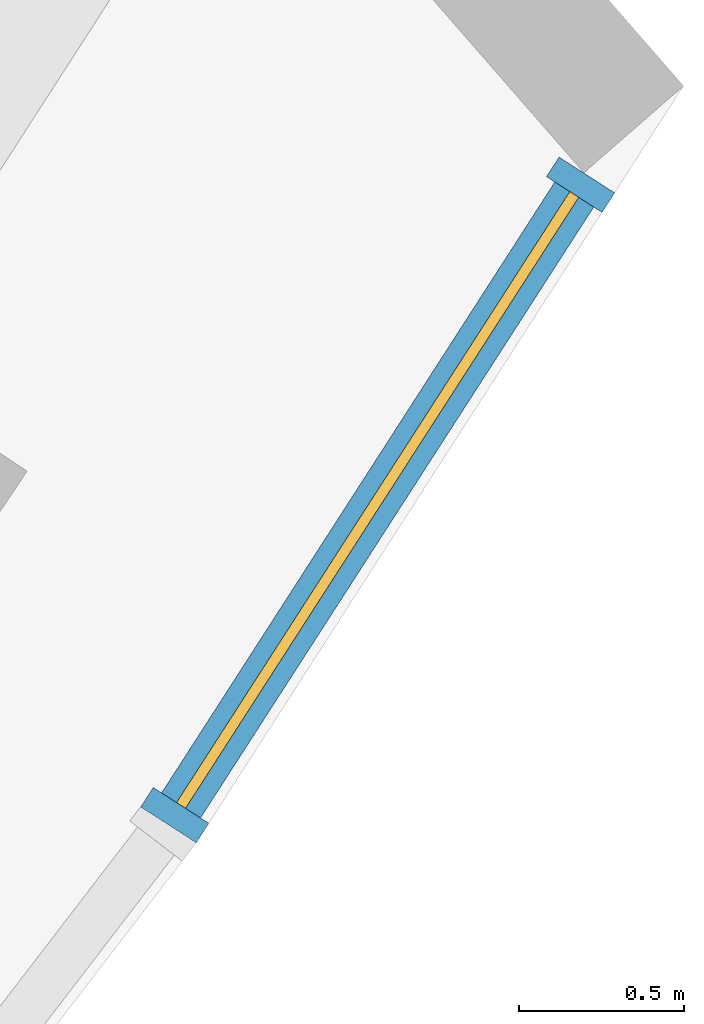
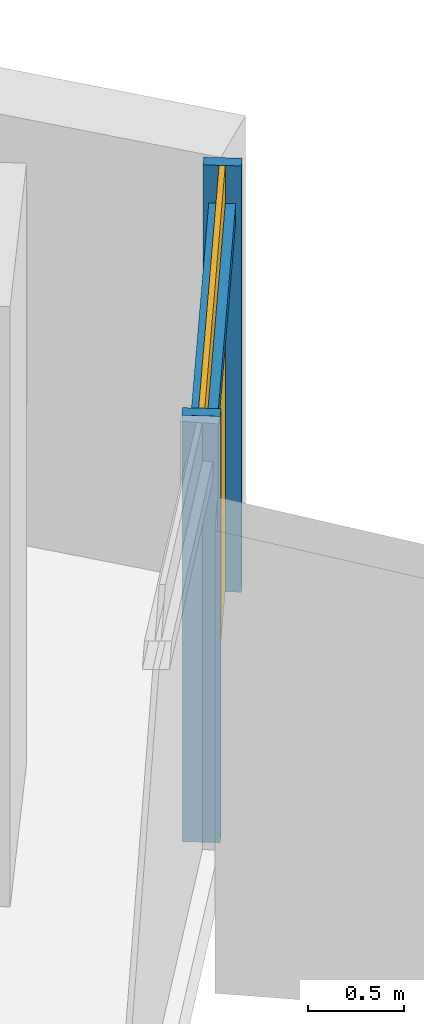
# One storey, part 24 of 32: 3 members, 1 curtain wall.
"""IFC4 building model written with IfcOpenShell, lengths in metres."""

from ifc_helpers import new_model, si_unit, direction, frame, origin, origin_2d, place, context, subcontext, project, spatial, rectangle, extrude, material, material_profile, profile_set, type_object, element, aggregate, save


model = new_model("IFC4")

# Units and contexts
model_context = context("Model", 3, precision=1e-05, world=origin(), true_north=direction((0.0, 1.0)))
body_context = subcontext(model_context, "Body", "Model", "MODEL_VIEW")
ifc_project = project(units=[si_unit("LENGTHUNIT", "METRE"), si_unit("AREAUNIT", "SQUARE_METRE"), si_unit("VOLUMEUNIT", "CUBIC_METRE"), si_unit("PLANEANGLEUNIT", "RADIAN"), si_unit("MASSUNIT", "GRAM", prefix="KILO")], contexts=[model_context])

# Member
ifc_material = material(Name="Aluminium 6063-T6 anodised", Category="aluminium")
ifc_material_profile_1 = material_profile(ifc_material, rectangle(XDim=0.199951171875, YDim=0.070068359375, at=origin_2d()))
ifc_profile_set_1 = profile_set([ifc_material_profile_1], Name="Aluminium 6063-T6 anodised")
member_type_1 = type_object("IfcMemberType", Name="Mullion 70 x 200 aluminium", PredefinedType="MULLION", material=ifc_profile_set_1)
site_placement = place(None, origin())
building_placement = place(site_placement, origin())
storey_placement = place(building_placement, frame((0.0, 0.0, 63.300048828125)))
member_1_placement = place(storey_placement, frame((66.161376953125, -44.167724609375, 0.0), z_axis=(0.0, 0.0, 1.0), x_axis=(-0.840842221196, 0.5412802962, 0.0)))
member_1 = element("IfcMember", 1, at=member_1_placement, type_object=member_type_1, Name="e-cw1-L12-out16/M00", PredefinedType="MULLION", context=body_context, shape_type="SweptSolid", body=[
    extrude(rectangle(XDim=0.199951171875, YDim=0.070068359375, at=origin_2d()), origin(), (0.0, 0.0, 1.0), 2.699951171875),
])

member_2_placement = place(storey_placement, frame((67.388671875, -42.26123046875, 0.0), z_axis=(0.0, 0.0, 1.0), x_axis=(-0.840842221196, 0.5412802962, 0.0)))
member_2 = element("IfcMember", 2, at=member_2_placement, type_object=member_type_1, Name="e-cw1-L12-out16/M01", PredefinedType="MULLION", context=body_context, shape_type="SweptSolid", body=[
    extrude(rectangle(XDim=0.199951171875, YDim=0.070068359375, at=origin_2d()), origin(), (0.0, 0.0, 1.0), 2.699951171875),
])

ifc_material_profile_2 = material_profile(ifc_material, rectangle(XDim=0.139892578125, YDim=0.1201171875, at=origin_2d()))
ifc_profile_set_2 = profile_set([ifc_material_profile_2], Name="Aluminium 6063-T6 anodised")
member_type_2 = type_object("IfcMemberType", Name="Transom 120 x 140 aluminium", PredefinedType="USERDEFINED", material=ifc_profile_set_2)
member_3_placement = place(storey_placement, frame((66.180419921875, -44.13818359375, 2.39990234375), z_axis=(0.541217996061, 0.840882322766, 0.0), x_axis=(-0.840882322766, 0.541217996061, 0.0)))
member_3 = element("IfcMember", 3, at=member_3_placement, type_object=member_type_2, Name="e-cw1-L12-out16/T00", ObjectType="TRANSOM", PredefinedType="USERDEFINED", context=body_context, shape_type="SweptSolid", body=[
    extrude(rectangle(XDim=0.139892578125, YDim=0.1201171875, at=origin_2d()), origin(), (0.0, 0.0, 1.0), 2.197265625),
])

# Site, building, storey
site = spatial("IfcSite", under=ifc_project, at=site_placement, CompositionType="ELEMENT")
building = spatial("IfcBuilding", under=site, at=building_placement, Name="Qamariyya Broadcast Tower", CompositionType="ELEMENT")
storey = spatial("IfcBuildingStorey", under=building, at=storey_placement, Name="L12", CompositionType="ELEMENT", Elevation=63.300048828125)

# Curtain wall
curtain_wall_type = type_object("IfcCurtainWallType", Name="Unitised curtain wall, anodised aluminium", PredefinedType="NOTDEFINED", material=ifc_material)
curtain_wall_placement = place(storey_placement, origin())
curtain_wall = element("IfcCurtainWall", 4, at=curtain_wall_placement, inside=storey, type_object=curtain_wall_type, Name="e-cw1-L12-out16", PredefinedType="NOTDEFINED", context=body_context, shape_type="SweptSolid", body=[
    extrude(rectangle(XDim=2.197265625, YDim=0.031982421875, at=origin_2d()), frame((66.77490234375, -43.21435546875, 0.0), x_axis=(0.541200994637, 0.840893265167, 0.0)), (0.0, 0.0, 1.0), 2.340087890625),
    extrude(rectangle(XDim=2.197265625, YDim=0.031982421875, at=origin_2d()), frame((66.77490234375, -43.21435546875, 2.4599609375), x_axis=(0.541200994637, 0.840893265167, 0.0)), (0.0, 0.0, 1.0), 0.239990234375),
])

aggregate(curtain_wall, [member_1, member_2, member_3])

save(model, "model.ifc")
